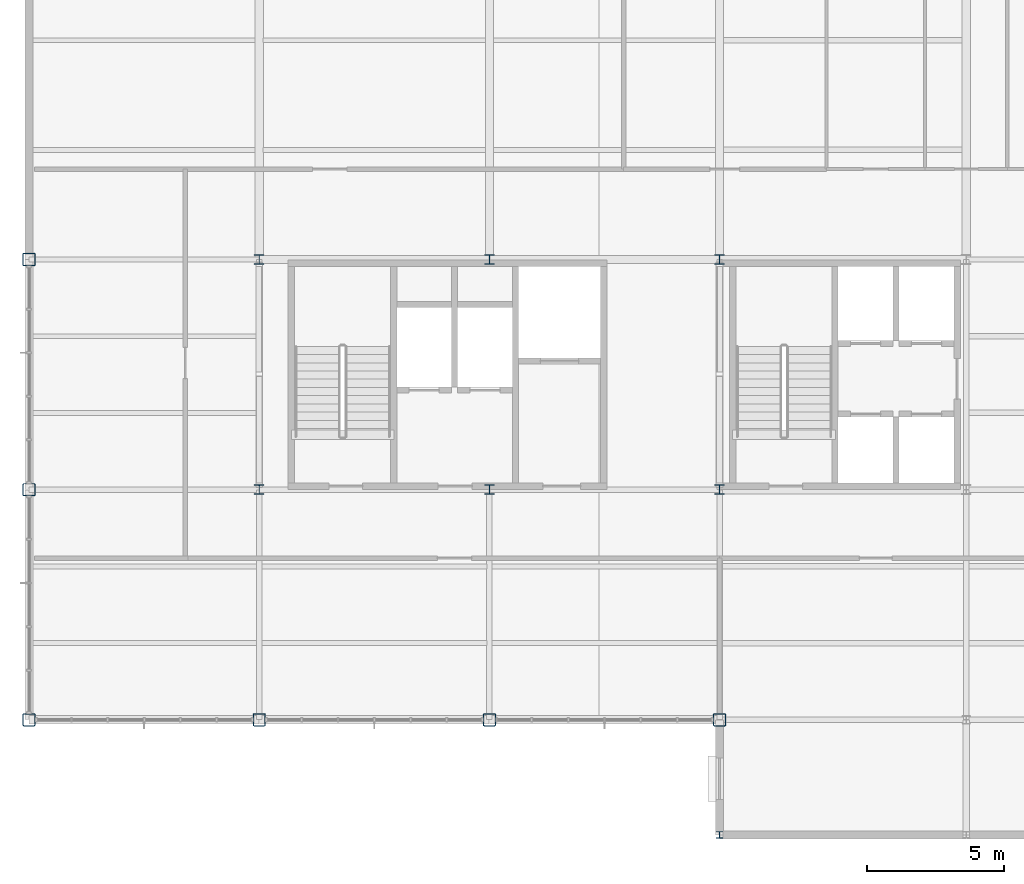
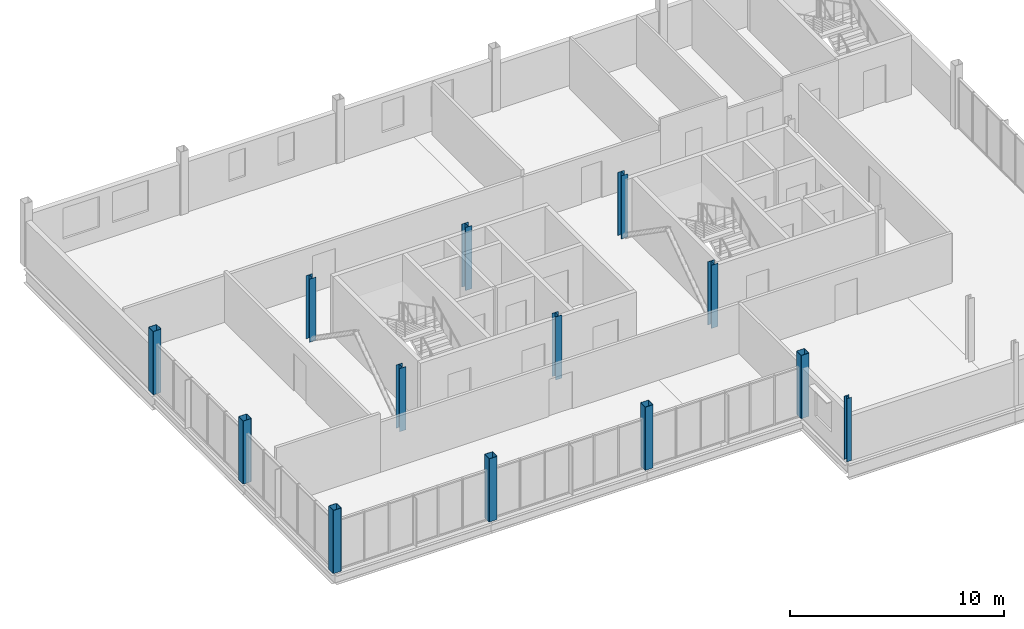
# One storey, part 1 of 16: 13 columns.
"""IFC4 building model written with IfcOpenShell, lengths in metres."""

from ifc_helpers import new_model, si_unit, direction, frame, origin, origin_2d, place, context, subcontext, project, spatial, hollow_rectangle, i_section, extrude, material, material_profile, profile_set, type_object, element, save


model = new_model("IFC4")

# Units and contexts
model_context = context("Model", 3, precision=1e-05, world=origin(), true_north=direction((0.0, 1.0)))
body_context = subcontext(model_context, "Body", "Model", "MODEL_VIEW")
ifc_project = project(units=[si_unit("LENGTHUNIT", "METRE"), si_unit("AREAUNIT", "SQUARE_METRE"), si_unit("VOLUMEUNIT", "CUBIC_METRE"), si_unit("PLANEANGLEUNIT", "RADIAN"), si_unit("MASSUNIT", "GRAM", prefix="KILO")], contexts=[model_context])

# Site, building, storey
site_placement = place(None, origin())
site = spatial("IfcSite", under=ifc_project, at=site_placement, CompositionType="ELEMENT")
building_placement = place(site_placement, origin())
building = spatial("IfcBuilding", under=site, at=building_placement, Name="Yukiwa Park Conservatory and Herbarium", CompositionType="ELEMENT")
storey_placement = place(building_placement, frame((0.0, 0.0, 43.199951171875)))
storey = spatial("IfcBuildingStorey", under=building, at=storey_placement, Name="L11", CompositionType="ELEMENT", Elevation=43.199951171875)

# Columns
ifc_material_1 = material(Name="Steel Q355D", Category="steel")
ifc_material_profile_1 = material_profile(ifc_material_1, i_section(OverallWidth=0.25, OverallDepth=0.25, WebThickness=0.009033203125, FlangeThickness=0.013916015625, FilletRadius=0.01611328125, at=origin_2d()), Name="HW 250x250x9x14")
ifc_profile_set_1 = profile_set([ifc_material_profile_1], Name="Steel Q355D")
column_type_1 = type_object("IfcColumnType", Name="COL-SB-HW250", PredefinedType="COLUMN", material=ifc_profile_set_1)
column_placement = place(storey_placement, frame((150.0, 82.199951171875, 0.0), z_axis=(0.0, 0.0, 1.0), x_axis=(1.0, 0.0, 0.0)))
element("IfcColumn", 1, at=column_placement, inside=storey, type_object=column_type_1, Name="L11 column V5SB2-X1500-Y822", PredefinedType="COLUMN", context=body_context, shape_type="SweptSolid", body=[
    extrude(i_section(OverallWidth=0.25, OverallDepth=0.25, WebThickness=0.009033203125, FlangeThickness=0.013916015625, FilletRadius=0.01611328125, at=origin_2d()), origin(), (0.0, 0.0, 1.0), 3.60009765625),
])
ifc_material_2 = material(Name="Steel Q355D", Category="steel")
ifc_material_profile_2 = material_profile(ifc_material_2, hollow_rectangle(XDim=0.449951171875, YDim=0.449951171875, WallThickness=0.01806640625, InnerFilletRadius=0.01806640625, OuterFilletRadius=0.035888671875, at=origin_2d()), Name="BOX 450x450x18")
ifc_profile_set_2 = profile_set([ifc_material_profile_2], Name="Steel Q355D")
column_type_2 = type_object("IfcColumnType", Name="COL-TW-BOX450-EXT", PredefinedType="COLUMN", material=ifc_profile_set_2)
for number, where, z_axis, x_axis, name in (
    (2, (124.800048828125, 86.39990234375, 0.0), (0.0, 0.0, 1.0), (1.0, 0.0, 0.0), "L11 column V5-X1248-Y864"),
    (3, (124.800048828125, 94.800048828125, 0.0), (0.0, 0.0, 1.0), (1.0, 0.0, 0.0), "L11 column V5-X1248-Y948"),
    (4, (124.800048828125, 103.199951171875, 0.0), (0.0, 0.0, 1.0), (1.0, 0.0, 0.0), "L11 column V5-X1248-Y1032"),
    (5, (133.199951171875, 86.39990234375, 0.0), (0.0, 0.0, 1.0), (1.0, 0.0, 0.0), "L11 column V5-X1332-Y864"),
    (6, (141.60009765625, 86.39990234375, 0.0), (0.0, 0.0, 1.0), (1.0, 0.0, 0.0), "L11 column V5-X1416-Y864"),
    (7, (150.0, 86.39990234375, 0.0), (0.0, 0.0, 1.0), (1.0, 0.0, 0.0), "L11 column V5-X1500-Y864"),
):
    element("IfcColumn", number, at=place(storey_placement, frame(where, z_axis=z_axis, x_axis=x_axis)), inside=storey, type_object=column_type_2, Name=name, PredefinedType="COLUMN", context=body_context, shape_type="SweptSolid", body=[
        extrude(hollow_rectangle(XDim=0.449951171875, YDim=0.449951171875, WallThickness=0.01806640625, InnerFilletRadius=0.01806640625, OuterFilletRadius=0.035888671875, at=origin_2d()), origin(), (0.0, 0.0, 1.0), 3.60009765625),
    ])
ifc_material_3 = material(Name="Steel Q355D", Category="steel")
ifc_material_profile_3 = material_profile(ifc_material_3, i_section(OverallWidth=0.347900390625, OverallDepth=0.343994140625, WebThickness=0.010009765625, FlangeThickness=0.01611328125, FilletRadius=0.02001953125, at=origin_2d()), Name="HW 344x348x10x16")
ifc_profile_set_3 = profile_set([ifc_material_profile_3], Name="Steel Q355D")
column_type_3 = type_object("IfcColumnType", Name="COL-TW-HW344", PredefinedType="COLUMN", material=ifc_profile_set_3)
for number, where, z_axis, x_axis, name in (
    (8, (133.199951171875, 94.800048828125, 0.0), (0.0, 0.0, 1.0), (1.0, 0.0, 0.0), "L11 column V5-X1332-Y948"),
    (9, (133.199951171875, 103.199951171875, 0.0), (0.0, 0.0, 1.0), (1.0, 0.0, 0.0), "L11 column V5-X1332-Y1032"),
    (10, (141.60009765625, 94.800048828125, 0.0), (0.0, 0.0, 1.0), (1.0, 0.0, 0.0), "L11 column V5-X1416-Y948"),
    (11, (141.60009765625, 103.199951171875, 0.0), (0.0, 0.0, 1.0), (1.0, 0.0, 0.0), "L11 column V5-X1416-Y1032"),
    (12, (150.0, 94.800048828125, 0.0), (0.0, 0.0, 1.0), (1.0, 0.0, 0.0), "L11 column V5-X1500-Y948"),
    (13, (150.0, 103.199951171875, 0.0), (0.0, 0.0, 1.0), (1.0, 0.0, 0.0), "L11 column V5-X1500-Y1032"),
):
    element("IfcColumn", number, at=place(storey_placement, frame(where, z_axis=z_axis, x_axis=x_axis)), inside=storey, type_object=column_type_3, Name=name, PredefinedType="COLUMN", context=body_context, shape_type="SweptSolid", body=[
        extrude(i_section(OverallWidth=0.347900390625, OverallDepth=0.343994140625, WebThickness=0.010009765625, FlangeThickness=0.01611328125, FilletRadius=0.02001953125, at=origin_2d()), origin(), (0.0, 0.0, 1.0), 3.60009765625),
    ])

save(model, "model.ifc")
